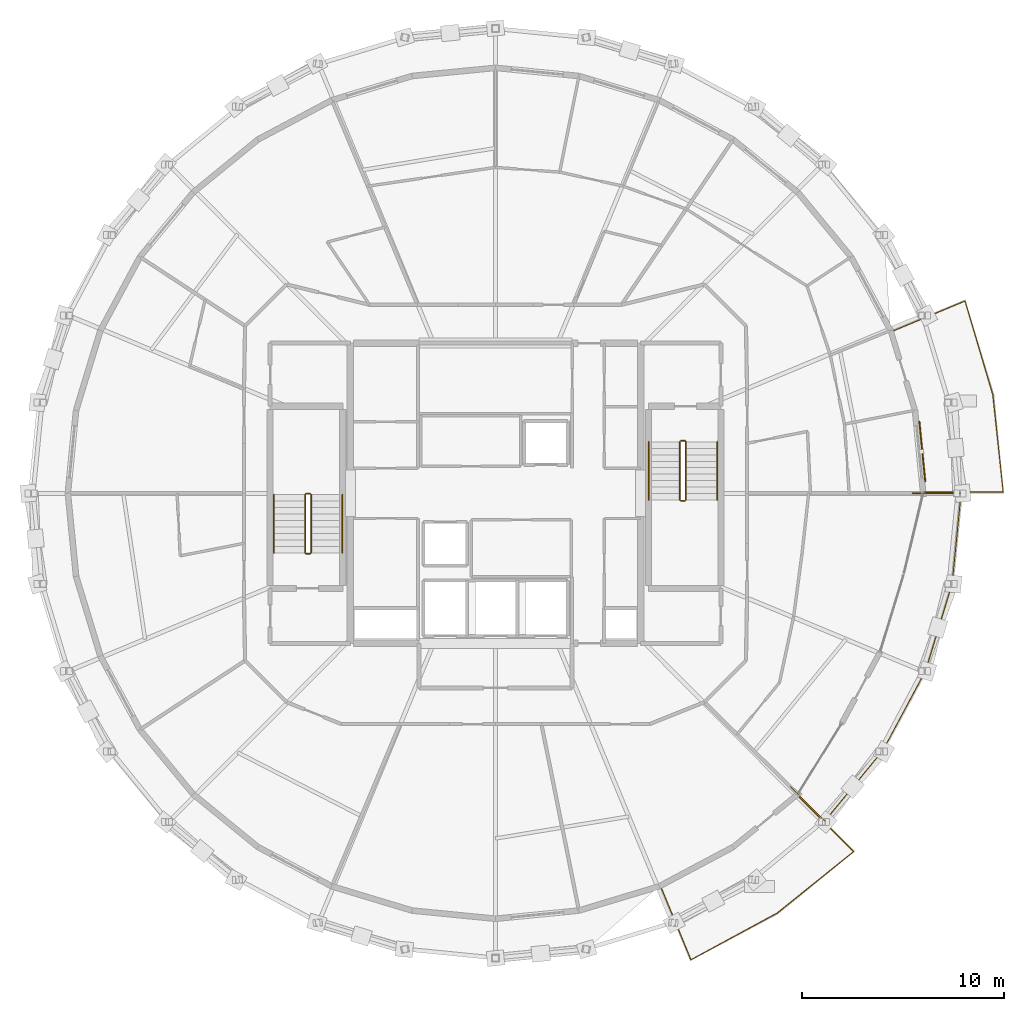
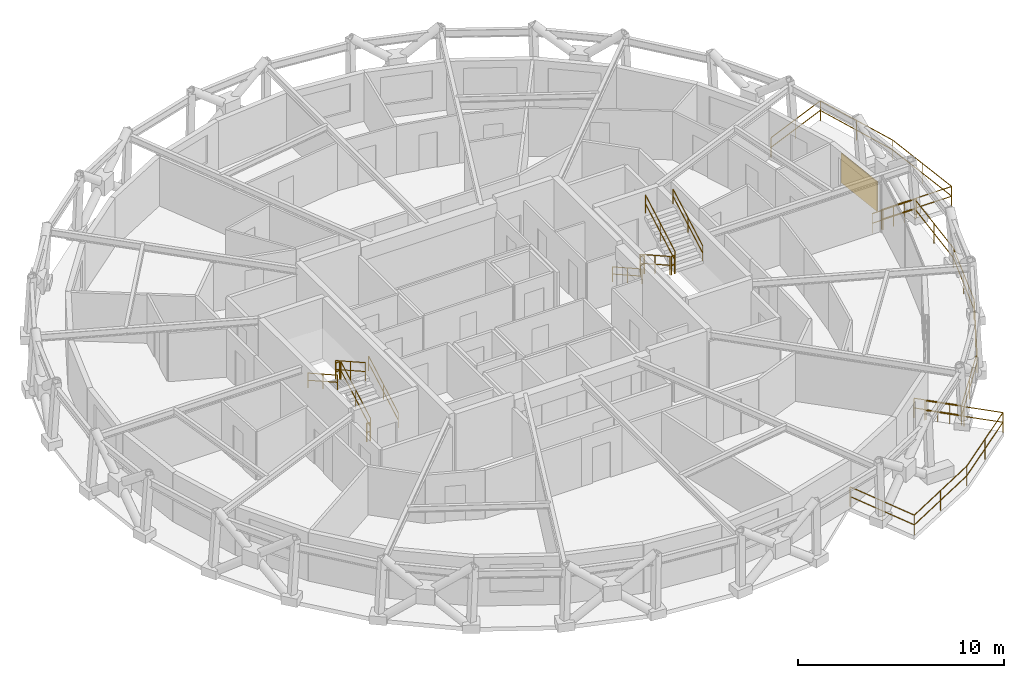
# One storey, part 12 of 12: 17 railings, 1 shading device.
"""IFC4 building model written with IfcOpenShell, lengths in metres."""

from ifc_helpers import new_model, si_unit, direction, frame, origin, origin_2d, place, context, subcontext, project, spatial, rectangle, circle, extrude, material, layer, layer_set, type_object, element, save


model = new_model("IFC4")

# Units and contexts
model_context = context("Model", 3, precision=1e-05, world=origin(), true_north=direction((0.0, 1.0)))
body_context = subcontext(model_context, "Body", "Model", "MODEL_VIEW")
ifc_project = project(units=[si_unit("LENGTHUNIT", "METRE"), si_unit("AREAUNIT", "SQUARE_METRE"), si_unit("VOLUMEUNIT", "CUBIC_METRE"), si_unit("PLANEANGLEUNIT", "RADIAN"), si_unit("MASSUNIT", "GRAM", prefix="KILO")], contexts=[model_context])

# Site, building, storey
site_placement = place(None, origin())
site = spatial("IfcSite", under=ifc_project, at=site_placement, CompositionType="ELEMENT")
building_placement = place(site_placement, origin())
building = spatial("IfcBuilding", under=site, at=building_placement, Name="Veldorina Hangang Commons", CompositionType="ELEMENT")
storey_placement = place(building_placement, frame((0.0, 0.0, 247.199951171875)))
storey = spatial("IfcBuildingStorey", under=building, at=storey_placement, Name="L64", CompositionType="ELEMENT", Elevation=247.199951171875)

# Railings
ifc_material_1 = material(Name="Glass Laminated Safety Balustrade", Category="glass")
railing_type_1 = type_object("IfcRailingType", Name="RL-BAL-LOGGIA", PredefinedType="BALUSTRADE", material=ifc_material_1)
railing_1_placement = place(storey_placement, frame((46.63720703125, 9.44091796875, 0.0)))
element("IfcRailing", 1, at=railing_1_placement, inside=storey, type_object=railing_type_1, Name="L64 sky-garden loggia end balustrade A", PredefinedType="BALUSTRADE", context=body_context, shape_type="SweptSolid", body=[
    extrude(circle(Radius=0.02392578125, at=origin_2d()), frame((0.0, 0.0, 1.17578125), z_axis=(0.707005046524, -0.707208501214, 0.0), x_axis=(0.707208501214, 0.707005046524, 0.0)), (0.0, 0.0, 1.0), 2.39990234375),
    extrude(circle(Radius=0.02392578125, at=origin_2d()), frame((0.0, 0.0, 0.60009765625), z_axis=(0.707005046524, -0.707208501214, 0.0), x_axis=(0.707208501214, 0.707005046524, 0.0)), (0.0, 0.0, 1.0), 2.39990234375),
    extrude(circle(Radius=0.02099609375, at=origin_2d()), origin(), (0.0, 0.0, 1.0), 1.15185546875),
    extrude(circle(Radius=0.02099609375, at=origin_2d()), frame((0.42431640625, -0.42431640625, 0.0)), (0.0, 0.0, 1.0), 1.15185546875),
    extrude(circle(Radius=0.02099609375, at=origin_2d()), frame((0.848388671875, -0.8486328125, 0.0)), (0.0, 0.0, 1.0), 1.15185546875),
    extrude(circle(Radius=0.02099609375, at=origin_2d()), frame((1.2724609375, -1.27294921875, 0.0)), (0.0, 0.0, 1.0), 1.15185546875),
    extrude(circle(Radius=0.02099609375, at=origin_2d()), frame((1.69677734375, -1.697265625, 0.0)), (0.0, 0.0, 1.0), 1.15185546875),
])
railing_2_placement = place(storey_placement, frame((52.69970703125, 24.0, 0.0)))
element("IfcRailing", 2, at=railing_2_placement, inside=storey, type_object=railing_type_1, Name="L64 sky-garden loggia end balustrade B", PredefinedType="BALUSTRADE", context=body_context, shape_type="SweptSolid", body=[
    extrude(circle(Radius=0.02392578125, at=origin_2d()), frame((0.0, 0.0, 1.17578125), z_axis=(1.0, 0.0, 0.0), x_axis=(0.0, 1.0, 0.0)), (0.0, 0.0, 1.0), 2.400146484375),
    extrude(circle(Radius=0.02392578125, at=origin_2d()), frame((0.0, 0.0, 0.60009765625), z_axis=(1.0, 0.0, 0.0), x_axis=(0.0, 1.0, 0.0)), (0.0, 0.0, 1.0), 2.400146484375),
    extrude(circle(Radius=0.02099609375, at=origin_2d()), origin(), (0.0, 0.0, 1.0), 1.15185546875),
    extrude(circle(Radius=0.02099609375, at=origin_2d()), frame((0.60009765625, 0.0, 0.0)), (0.0, 0.0, 1.0), 1.15185546875),
    extrude(circle(Radius=0.02099609375, at=origin_2d()), frame((1.2001953125, 0.0, 0.0)), (0.0, 0.0, 1.0), 1.15185546875),
    extrude(circle(Radius=0.02099609375, at=origin_2d()), frame((1.800048828125, 0.0, 0.0)), (0.0, 0.0, 1.0), 1.15185546875),
    extrude(circle(Radius=0.02099609375, at=origin_2d()), frame((2.400146484375, 0.0, 0.0)), (0.0, 0.0, 1.0), 1.15185546875),
])
railing_3_placement = place(storey_placement, frame((48.333984375, 7.74365234375, 0.0)))
element("IfcRailing", 3, at=railing_3_placement, inside=storey, type_object=railing_type_1, Name="L64 sky-garden loggia outer balustrade", PredefinedType="BALUSTRADE", context=body_context, shape_type="SweptSolid", body=[
    extrude(circle(Radius=0.02392578125, at=origin_2d()), frame((0.0, 0.0, 1.17578125), z_axis=(0.636197957023, 0.771525864427, 0.0), x_axis=(-0.771525864427, 0.636197957023, 0.0)), (0.0, 0.0, 1.0), 4.515625),
    extrude(circle(Radius=0.02392578125, at=origin_2d()), frame((0.0, 0.0, 0.60009765625), z_axis=(0.636197957023, 0.771525864427, 0.0), x_axis=(-0.771525864427, 0.636197957023, 0.0)), (0.0, 0.0, 1.0), 4.515625),
    extrude(circle(Radius=0.02392578125, at=origin_2d()), frame((2.872802734375, 3.48388671875, 1.17578125), z_axis=(0.473128193567, 0.880993593877, 0.0), x_axis=(-0.880993593877, 0.473128193567, 0.0)), (0.0, 0.0, 1.0), 4.511474609375),
    extrude(circle(Radius=0.02392578125, at=origin_2d()), frame((2.872802734375, 3.48388671875, 0.60009765625), z_axis=(0.473128193567, 0.880993593877, 0.0), x_axis=(-0.880993593877, 0.473128193567, 0.0)), (0.0, 0.0, 1.0), 4.511474609375),
    extrude(circle(Radius=0.02392578125, at=origin_2d()), frame((5.00732421875, 7.45849609375, 1.17578125), z_axis=(0.291592530085, 0.956542626546, 0.0), x_axis=(-0.956542626546, 0.291592530085, 0.0)), (0.0, 0.0, 1.0), 4.5087890625),
    extrude(circle(Radius=0.02392578125, at=origin_2d()), frame((5.00732421875, 7.45849609375, 0.60009765625), z_axis=(0.291592530085, 0.956542626546, 0.0), x_axis=(-0.956542626546, 0.291592530085, 0.0)), (0.0, 0.0, 1.0), 4.5087890625),
    extrude(circle(Radius=0.02392578125, at=origin_2d()), frame((6.322021484375, 11.771240234375, 1.17578125), z_axis=(0.098479281818, 0.995139101359, 0.0), x_axis=(-0.995139101359, 0.098479281818, 0.0)), (0.0, 0.0, 1.0), 4.507080078125),
    extrude(circle(Radius=0.02392578125, at=origin_2d()), frame((6.322021484375, 11.771240234375, 0.60009765625), z_axis=(0.098479281818, 0.995139101359, 0.0), x_axis=(-0.995139101359, 0.098479281818, 0.0)), (0.0, 0.0, 1.0), 4.507080078125),
    extrude(circle(Radius=0.02099609375, at=origin_2d()), origin(), (0.0, 0.0, 1.0), 1.15185546875),
    extrude(circle(Radius=0.02099609375, at=origin_2d()), frame((1.4365234375, 1.741943359375, 0.0)), (0.0, 0.0, 1.0), 1.15185546875),
    extrude(circle(Radius=0.02099609375, at=origin_2d()), frame((2.872802734375, 3.48388671875, 0.0)), (0.0, 0.0, 1.0), 1.15185546875),
    extrude(circle(Radius=0.02099609375, at=origin_2d()), frame((3.93994140625, 5.47119140625, 0.0)), (0.0, 0.0, 1.0), 1.15185546875),
    extrude(circle(Radius=0.02099609375, at=origin_2d()), frame((5.00732421875, 7.45849609375, 0.0)), (0.0, 0.0, 1.0), 1.15185546875),
    extrude(circle(Radius=0.02099609375, at=origin_2d()), frame((5.66455078125, 9.61474609375, 0.0)), (0.0, 0.0, 1.0), 1.15185546875),
    extrude(circle(Radius=0.02099609375, at=origin_2d()), frame((6.322021484375, 11.771240234375, 0.0)), (0.0, 0.0, 1.0), 1.15185546875),
    extrude(circle(Radius=0.02099609375, at=origin_2d()), frame((6.5439453125, 14.013671875, 0.0)), (0.0, 0.0, 1.0), 1.15185546875),
    extrude(circle(Radius=0.02099609375, at=origin_2d()), frame((6.765869140625, 16.25634765625, 0.0)), (0.0, 0.0, 1.0), 1.15185546875),
])
railing_4_placement = place(storey_placement, frame((40.197509765625, 4.48681640625, 0.0)))
element("IfcRailing", 4, at=railing_4_placement, inside=storey, type_object=railing_type_1, Name="L64 planted tree balcony 1 balustrade", PredefinedType="BALUSTRADE", context=body_context, shape_type="SweptSolid", body=[
    extrude(circle(Radius=0.02392578125, at=origin_2d()), frame((0.0, 0.0, 1.17578125), z_axis=(0.380924566325, -0.924606118718, 0.0), x_axis=(0.924606118718, 0.380924566325, 0.0)), (0.0, 0.0, 1.0), 3.9345703125),
    extrude(circle(Radius=0.02392578125, at=origin_2d()), frame((0.0, 0.0, 0.60009765625), z_axis=(0.380924566325, -0.924606118718, 0.0), x_axis=(0.924606118718, 0.380924566325, 0.0)), (0.0, 0.0, 1.0), 3.9345703125),
    extrude(circle(Radius=0.02392578125, at=origin_2d()), frame((1.498779296875, -3.637939453125, 1.17578125), z_axis=(0.878971684697, 0.476873963958, 0.0), x_axis=(-0.476873963958, 0.878971684697, 0.0)), (0.0, 0.0, 1.0), 4.871337890625),
    extrude(circle(Radius=0.02392578125, at=origin_2d()), frame((1.498779296875, -3.637939453125, 0.60009765625), z_axis=(0.878971684697, 0.476873963958, 0.0), x_axis=(-0.476873963958, 0.878971684697, 0.0)), (0.0, 0.0, 1.0), 4.871337890625),
    extrude(circle(Radius=0.02392578125, at=origin_2d()), frame((5.780517578125, -1.31494140625, 1.17578125), z_axis=(0.779442897475, 0.62647327922, 0.0), x_axis=(-0.62647327922, 0.779442897475, 0.0)), (0.0, 0.0, 1.0), 4.867919921875),
    extrude(circle(Radius=0.02392578125, at=origin_2d()), frame((5.780517578125, -1.31494140625, 0.60009765625), z_axis=(0.779442897475, 0.62647327922, 0.0), x_axis=(-0.62647327922, 0.779442897475, 0.0)), (0.0, 0.0, 1.0), 4.867919921875),
    extrude(circle(Radius=0.02392578125, at=origin_2d()), frame((9.57470703125, 1.734619140625, 1.17578125), z_axis=(-0.708532457829, 0.705678224266, 0.0), x_axis=(-0.705678224266, -0.708532457829, 0.0)), (0.0, 0.0, 1.0), 3.9345703125),
    extrude(circle(Radius=0.02392578125, at=origin_2d()), frame((9.57470703125, 1.734619140625, 0.60009765625), z_axis=(-0.708532457829, 0.705678224266, 0.0), x_axis=(-0.705678224266, -0.708532457829, 0.0)), (0.0, 0.0, 1.0), 3.9345703125),
    extrude(circle(Radius=0.02099609375, at=origin_2d()), origin(), (0.0, 0.0, 1.0), 1.15185546875),
    extrude(circle(Radius=0.02099609375, at=origin_2d()), frame((0.74951171875, -1.81884765625, 0.0)), (0.0, 0.0, 1.0), 1.15185546875),
    extrude(circle(Radius=0.02099609375, at=origin_2d()), frame((1.498779296875, -3.637939453125, 0.0)), (0.0, 0.0, 1.0), 1.15185546875),
    extrude(circle(Radius=0.02099609375, at=origin_2d()), frame((3.6396484375, -2.4765625, 0.0)), (0.0, 0.0, 1.0), 1.15185546875),
    extrude(circle(Radius=0.02099609375, at=origin_2d()), frame((5.780517578125, -1.31494140625, 0.0)), (0.0, 0.0, 1.0), 1.15185546875),
    extrude(circle(Radius=0.02099609375, at=origin_2d()), frame((7.677734375, 0.2099609375, 0.0)), (0.0, 0.0, 1.0), 1.15185546875),
    extrude(circle(Radius=0.02099609375, at=origin_2d()), frame((9.57470703125, 1.734619140625, 0.0)), (0.0, 0.0, 1.0), 1.15185546875),
    extrude(circle(Radius=0.02099609375, at=origin_2d()), frame((8.1806640625, 3.123046875, 0.0)), (0.0, 0.0, 1.0), 1.15185546875),
    extrude(circle(Radius=0.02099609375, at=origin_2d()), frame((6.786865234375, 4.51123046875, 0.0)), (0.0, 0.0, 1.0), 1.15185546875),
])
railing_5_placement = place(storey_placement, frame((53.2587890625, 24.0673828125, 0.0)))
element("IfcRailing", 5, at=railing_5_placement, inside=storey, type_object=railing_type_1, Name="L64 planted tree balcony 2 balustrade", PredefinedType="BALUSTRADE", context=body_context, shape_type="SweptSolid", body=[
    extrude(circle(Radius=0.02392578125, at=origin_2d()), frame((0.0, 0.0, 1.17578125), z_axis=(0.999998149745, -0.001923670037, 0.0), x_axis=(0.001923670037, 0.999998149745, 0.0)), (0.0, 0.0, 1.0), 3.934326171875),
    extrude(circle(Radius=0.02392578125, at=origin_2d()), frame((0.0, 0.0, 0.60009765625), z_axis=(0.999998149745, -0.001923670037, 0.0), x_axis=(0.001923670037, 0.999998149745, 0.0)), (0.0, 0.0, 1.0), 3.934326171875),
    extrude(circle(Radius=0.02392578125, at=origin_2d()), frame((3.934326171875, -0.007568359375, 1.17578125), z_axis=(-0.106462097095, 0.99431676134, 0.0), x_axis=(-0.99431676134, -0.106462097095, 0.0)), (0.0, 0.0, 1.0), 4.854736328125),
    extrude(circle(Radius=0.02392578125, at=origin_2d()), frame((3.934326171875, -0.007568359375, 0.60009765625), z_axis=(-0.106462097095, 0.99431676134, 0.0), x_axis=(-0.99431676134, -0.106462097095, 0.0)), (0.0, 0.0, 1.0), 4.854736328125),
    extrude(circle(Radius=0.02392578125, at=origin_2d()), frame((3.41748046875, 4.819580078125, 1.17578125), z_axis=(-0.283739127951, 0.958901510725, 0.0), x_axis=(-0.958901510725, -0.283739127951, 0.0)), (0.0, 0.0, 1.0), 4.8564453125),
    extrude(circle(Radius=0.02392578125, at=origin_2d()), frame((3.41748046875, 4.819580078125, 0.60009765625), z_axis=(-0.283739127951, 0.958901510725, 0.0), x_axis=(-0.958901510725, -0.283739127951, 0.0)), (0.0, 0.0, 1.0), 4.8564453125),
    extrude(circle(Radius=0.02392578125, at=origin_2d()), frame((2.03955078125, 9.476318359375, 1.17578125), z_axis=(-0.923128321237, -0.384492005807, 0.0), x_axis=(0.384492005807, -0.923128321237, 0.0)), (0.0, 0.0, 1.0), 3.934326171875),
    extrude(circle(Radius=0.02392578125, at=origin_2d()), frame((2.03955078125, 9.476318359375, 0.60009765625), z_axis=(-0.923128321237, -0.384492005807, 0.0), x_axis=(0.384492005807, -0.923128321237, 0.0)), (0.0, 0.0, 1.0), 3.934326171875),
    extrude(circle(Radius=0.02099609375, at=origin_2d()), origin(), (0.0, 0.0, 1.0), 1.15185546875),
    extrude(circle(Radius=0.02099609375, at=origin_2d()), frame((1.96728515625, -0.00390625, 0.0)), (0.0, 0.0, 1.0), 1.15185546875),
    extrude(circle(Radius=0.02099609375, at=origin_2d()), frame((3.934326171875, -0.007568359375, 0.0)), (0.0, 0.0, 1.0), 1.15185546875),
    extrude(circle(Radius=0.02099609375, at=origin_2d()), frame((3.67578125, 2.406005859375, 0.0)), (0.0, 0.0, 1.0), 1.15185546875),
    extrude(circle(Radius=0.02099609375, at=origin_2d()), frame((3.41748046875, 4.819580078125, 0.0)), (0.0, 0.0, 1.0), 1.15185546875),
    extrude(circle(Radius=0.02099609375, at=origin_2d()), frame((2.728515625, 7.14794921875, 0.0)), (0.0, 0.0, 1.0), 1.15185546875),
    extrude(circle(Radius=0.02099609375, at=origin_2d()), frame((2.03955078125, 9.476318359375, 0.0)), (0.0, 0.0, 1.0), 1.15185546875),
    extrude(circle(Radius=0.02099609375, at=origin_2d()), frame((0.2236328125, 8.719970703125, 0.0)), (0.0, 0.0, 1.0), 1.15185546875),
    extrude(circle(Radius=0.02099609375, at=origin_2d()), frame((-1.59228515625, 7.963623046875, 0.0)), (0.0, 0.0, 1.0), 1.15185546875),
])
ifc_material_2 = material(Name="Steel Painted Balustrade", Category="steel")
railing_type_2 = type_object("IfcRailingType", Name="RL-GRD-STAIR", PredefinedType="GUARDRAIL", material=ifc_material_2)
railing_6_placement = place(storey_placement, frame((22.85009765625, 21.050048828125, 0.179931640625)))
element("IfcRailing", 6, at=railing_6_placement, inside=storey, type_object=railing_type_2, Name="L64 ST-1 stair guard 1", PredefinedType="GUARDRAIL", context=body_context, shape_type="SweptSolid", body=[
    extrude(circle(Radius=0.02392578125, at=origin_2d()), frame((0.0, 0.0, 1.076171875), z_axis=(0.0, 0.87155185771, 0.490303333991), x_axis=(-1.0, 0.0, 0.0)), (0.0, 0.0, 1.0), 3.30419921875),
    extrude(circle(Radius=0.02392578125, at=origin_2d()), frame((0.0, 0.0, 0.550048828125), z_axis=(0.0, 0.87155185771, 0.490303333991), x_axis=(-1.0, 0.0, 0.0)), (0.0, 0.0, 1.0), 3.30419921875),
    extrude(circle(Radius=0.02099609375, at=origin_2d()), origin(), (0.0, 0.0, 1.0), 1.052001953125),
    extrude(circle(Radius=0.02099609375, at=origin_2d()), frame((0.0, 1.43994140625, 0.81005859375)), (0.0, 0.0, 1.0), 1.052001953125),
    extrude(circle(Radius=0.02099609375, at=origin_2d()), frame((0.0, 2.8798828125, 1.6201171875)), (0.0, 0.0, 1.0), 1.052001953125),
])
railing_7_placement = place(storey_placement, frame((22.800048828125, 23.97998046875, 1.800048828125)))
element("IfcRailing", 7, at=railing_7_placement, inside=storey, type_object=railing_type_2, Name="L64 ST-1 stair guard 2", PredefinedType="GUARDRAIL", context=body_context, shape_type="SweptSolid", body=[
    extrude(circle(Radius=0.02392578125, at=origin_2d()), frame((0.0, 0.0, 1.076171875), z_axis=(-1.0, 0.0, 0.0), x_axis=(0.0, -1.0, 0.0)), (0.0, 0.0, 1.0), 0.199951171875),
    extrude(circle(Radius=0.02392578125, at=origin_2d()), frame((0.0, 0.0, 0.550048828125), z_axis=(-1.0, 0.0, 0.0), x_axis=(0.0, -1.0, 0.0)), (0.0, 0.0, 1.0), 0.199951171875),
    extrude(circle(Radius=0.02099609375, at=origin_2d()), origin(), (0.0, 0.0, 1.0), 1.052001953125),
    extrude(circle(Radius=0.02099609375, at=origin_2d()), frame((-0.199951171875, 0.0, 0.0)), (0.0, 0.0, 1.0), 1.052001953125),
])
railing_8_placement = place(storey_placement, frame((22.550048828125, 23.929931640625, 1.97998046875)))
element("IfcRailing", 8, at=railing_8_placement, inside=storey, type_object=railing_type_2, Name="L64 ST-1 stair guard 3", PredefinedType="GUARDRAIL", context=body_context, shape_type="SweptSolid", body=[
    extrude(circle(Radius=0.02392578125, at=origin_2d()), frame((0.0, 0.0, 1.076171875), z_axis=(0.0, -0.87155185771, 0.490303333991), x_axis=(1.0, 0.0, 0.0)), (0.0, 0.0, 1.0), 3.30419921875),
    extrude(circle(Radius=0.02392578125, at=origin_2d()), frame((0.0, 0.0, 0.550048828125), z_axis=(0.0, -0.87155185771, 0.490303333991), x_axis=(1.0, 0.0, 0.0)), (0.0, 0.0, 1.0), 3.30419921875),
    extrude(circle(Radius=0.02099609375, at=origin_2d()), origin(), (0.0, 0.0, 1.0), 1.052001953125),
    extrude(circle(Radius=0.02099609375, at=origin_2d()), frame((0.0, -1.43994140625, 0.81005859375)), (0.0, 0.0, 1.0), 1.052001953125),
    extrude(circle(Radius=0.02099609375, at=origin_2d()), frame((0.0, -2.8798828125, 1.6201171875)), (0.0, 0.0, 1.0), 1.052001953125),
])
railing_9_placement = place(storey_placement, frame((22.800048828125, 21.0, 0.0)))
element("IfcRailing", 9, at=railing_9_placement, inside=storey, type_object=railing_type_2, Name="L64 ST-1 stair guard 4", PredefinedType="GUARDRAIL", context=body_context, shape_type="SweptSolid", body=[
    extrude(circle(Radius=0.02392578125, at=origin_2d()), frame((0.0, 0.0, 1.076171875), z_axis=(-1.0, 0.0, 0.0), x_axis=(0.0, -1.0, 0.0)), (0.0, 0.0, 1.0), 0.199951171875),
    extrude(circle(Radius=0.02392578125, at=origin_2d()), frame((0.0, 0.0, 0.550048828125), z_axis=(-1.0, 0.0, 0.0), x_axis=(0.0, -1.0, 0.0)), (0.0, 0.0, 1.0), 0.199951171875),
    extrude(circle(Radius=0.02099609375, at=origin_2d()), origin(), (0.0, 0.0, 1.0), 1.052001953125),
    extrude(circle(Radius=0.02099609375, at=origin_2d()), frame((-0.199951171875, 0.0, 0.0)), (0.0, 0.0, 1.0), 1.052001953125),
])
railing_10_placement = place(storey_placement, frame((41.14990234375, 26.550048828125, 0.179931640625)))
element("IfcRailing", 10, at=railing_10_placement, inside=storey, type_object=railing_type_2, Name="L64 ST-2 stair guard 1", PredefinedType="GUARDRAIL", context=body_context, shape_type="SweptSolid", body=[
    extrude(circle(Radius=0.02392578125, at=origin_2d()), frame((0.0, 0.0, 1.076171875), z_axis=(0.0, -0.871569617843, 0.490271762652), x_axis=(1.0, 0.0, 0.0)), (0.0, 0.0, 1.0), 3.304443359375),
    extrude(circle(Radius=0.02392578125, at=origin_2d()), frame((0.0, 0.0, 0.550048828125), z_axis=(0.0, -0.871569617843, 0.490271762652), x_axis=(1.0, 0.0, 0.0)), (0.0, 0.0, 1.0), 3.304443359375),
    extrude(circle(Radius=0.02099609375, at=origin_2d()), origin(), (0.0, 0.0, 1.0), 1.052001953125),
    extrude(circle(Radius=0.02099609375, at=origin_2d()), frame((0.0, -1.43994140625, 0.81005859375)), (0.0, 0.0, 1.0), 1.052001953125),
    extrude(circle(Radius=0.02099609375, at=origin_2d()), frame((0.0, -2.880126953125, 1.6201171875)), (0.0, 0.0, 1.0), 1.052001953125),
])
railing_11_placement = place(storey_placement, frame((41.199951171875, 23.6201171875, 1.800048828125)))
element("IfcRailing", 11, at=railing_11_placement, inside=storey, type_object=railing_type_2, Name="L64 ST-2 stair guard 2", PredefinedType="GUARDRAIL", context=body_context, shape_type="SweptSolid", body=[
    extrude(circle(Radius=0.02392578125, at=origin_2d()), frame((0.0, 0.0, 1.076171875), z_axis=(1.0, 0.0, 0.0), x_axis=(0.0, 1.0, 0.0)), (0.0, 0.0, 1.0), 0.199951171875),
    extrude(circle(Radius=0.02392578125, at=origin_2d()), frame((0.0, 0.0, 0.550048828125), z_axis=(1.0, 0.0, 0.0), x_axis=(0.0, 1.0, 0.0)), (0.0, 0.0, 1.0), 0.199951171875),
    extrude(circle(Radius=0.02099609375, at=origin_2d()), origin(), (0.0, 0.0, 1.0), 1.052001953125),
    extrude(circle(Radius=0.02099609375, at=origin_2d()), frame((0.199951171875, 0.0, 0.0)), (0.0, 0.0, 1.0), 1.052001953125),
])
railing_12_placement = place(storey_placement, frame((41.449951171875, 23.669921875, 1.97998046875)))
element("IfcRailing", 12, at=railing_12_placement, inside=storey, type_object=railing_type_2, Name="L64 ST-2 stair guard 3", PredefinedType="GUARDRAIL", context=body_context, shape_type="SweptSolid", body=[
    extrude(circle(Radius=0.02392578125, at=origin_2d()), frame((0.0, 0.0, 1.076171875), z_axis=(0.0, 0.871569617843, 0.490271762652), x_axis=(-1.0, 0.0, 0.0)), (0.0, 0.0, 1.0), 3.304443359375),
    extrude(circle(Radius=0.02392578125, at=origin_2d()), frame((0.0, 0.0, 0.550048828125), z_axis=(0.0, 0.871569617843, 0.490271762652), x_axis=(-1.0, 0.0, 0.0)), (0.0, 0.0, 1.0), 3.304443359375),
    extrude(circle(Radius=0.02099609375, at=origin_2d()), origin(), (0.0, 0.0, 1.0), 1.052001953125),
    extrude(circle(Radius=0.02099609375, at=origin_2d()), frame((0.0, 1.43994140625, 0.81005859375)), (0.0, 0.0, 1.0), 1.052001953125),
    extrude(circle(Radius=0.02099609375, at=origin_2d()), frame((0.0, 2.880126953125, 1.6201171875)), (0.0, 0.0, 1.0), 1.052001953125),
])
railing_13_placement = place(storey_placement, frame((41.199951171875, 26.60009765625, 0.0)))
element("IfcRailing", 13, at=railing_13_placement, inside=storey, type_object=railing_type_2, Name="L64 ST-2 stair guard 4", PredefinedType="GUARDRAIL", context=body_context, shape_type="SweptSolid", body=[
    extrude(circle(Radius=0.02392578125, at=origin_2d()), frame((0.0, 0.0, 1.076171875), z_axis=(1.0, 0.0, 0.0), x_axis=(0.0, 1.0, 0.0)), (0.0, 0.0, 1.0), 0.199951171875),
    extrude(circle(Radius=0.02392578125, at=origin_2d()), frame((0.0, 0.0, 0.550048828125), z_axis=(1.0, 0.0, 0.0), x_axis=(0.0, 1.0, 0.0)), (0.0, 0.0, 1.0), 0.199951171875),
    extrude(circle(Radius=0.02099609375, at=origin_2d()), origin(), (0.0, 0.0, 1.0), 1.052001953125),
    extrude(circle(Radius=0.02099609375, at=origin_2d()), frame((0.199951171875, 0.0, 0.0)), (0.0, 0.0, 1.0), 1.052001953125),
])
ifc_material_3 = material(Name="Stainless Steel Brushed 316", Category="steel")
railing_type_3 = type_object("IfcRailingType", Name="RL-HND-STAIR", PredefinedType="HANDRAIL", material=ifc_material_3)
railing_14_placement = place(storey_placement, frame((24.39990234375, 21.050048828125, 0.179931640625)))
element("IfcRailing", 14, at=railing_14_placement, inside=storey, type_object=railing_type_3, Name="L64 ST-1 stair handrail 1", PredefinedType="HANDRAIL", context=body_context, shape_type="SweptSolid", body=[
    extrude(circle(Radius=0.02392578125, at=origin_2d()), frame((0.0, 0.0, 0.8759765625), z_axis=(0.0, 0.87155185771, 0.490303333991), x_axis=(-1.0, 0.0, 0.0)), (0.0, 0.0, 1.0), 3.30419921875),
    extrude(circle(Radius=0.02392578125, at=origin_2d()), frame((0.0, 0.0, 0.449951171875), z_axis=(0.0, 0.87155185771, 0.490303333991), x_axis=(-1.0, 0.0, 0.0)), (0.0, 0.0, 1.0), 3.30419921875),
    extrude(circle(Radius=0.02099609375, at=origin_2d()), origin(), (0.0, 0.0, 1.0), 0.851806640625),
    extrude(circle(Radius=0.02099609375, at=origin_2d()), frame((0.0, 1.43994140625, 0.81005859375)), (0.0, 0.0, 1.0), 0.851806640625),
    extrude(circle(Radius=0.02099609375, at=origin_2d()), frame((0.0, 2.8798828125, 1.6201171875)), (0.0, 0.0, 1.0), 0.851806640625),
])
railing_15_placement = place(storey_placement, frame((21.0, 23.929931640625, 1.97998046875)))
element("IfcRailing", 15, at=railing_15_placement, inside=storey, type_object=railing_type_3, Name="L64 ST-1 stair handrail 2", PredefinedType="HANDRAIL", context=body_context, shape_type="SweptSolid", body=[
    extrude(circle(Radius=0.02392578125, at=origin_2d()), frame((0.0, 0.0, 0.8759765625), z_axis=(0.0, -0.87155185771, 0.490303333991), x_axis=(1.0, 0.0, 0.0)), (0.0, 0.0, 1.0), 3.30419921875),
    extrude(circle(Radius=0.02392578125, at=origin_2d()), frame((0.0, 0.0, 0.449951171875), z_axis=(0.0, -0.87155185771, 0.490303333991), x_axis=(1.0, 0.0, 0.0)), (0.0, 0.0, 1.0), 3.30419921875),
    extrude(circle(Radius=0.02099609375, at=origin_2d()), origin(), (0.0, 0.0, 1.0), 0.851806640625),
    extrude(circle(Radius=0.02099609375, at=origin_2d()), frame((0.0, -1.43994140625, 0.81005859375)), (0.0, 0.0, 1.0), 0.851806640625),
    extrude(circle(Radius=0.02099609375, at=origin_2d()), frame((0.0, -2.8798828125, 1.6201171875)), (0.0, 0.0, 1.0), 0.851806640625),
])
railing_16_placement = place(storey_placement, frame((39.60009765625, 26.550048828125, 0.179931640625)))
element("IfcRailing", 16, at=railing_16_placement, inside=storey, type_object=railing_type_3, Name="L64 ST-2 stair handrail 1", PredefinedType="HANDRAIL", context=body_context, shape_type="SweptSolid", body=[
    extrude(circle(Radius=0.02392578125, at=origin_2d()), frame((0.0, 0.0, 0.8759765625), z_axis=(0.0, -0.871569617843, 0.490271762652), x_axis=(1.0, 0.0, 0.0)), (0.0, 0.0, 1.0), 3.304443359375),
    extrude(circle(Radius=0.02392578125, at=origin_2d()), frame((0.0, 0.0, 0.449951171875), z_axis=(0.0, -0.871569617843, 0.490271762652), x_axis=(1.0, 0.0, 0.0)), (0.0, 0.0, 1.0), 3.304443359375),
    extrude(circle(Radius=0.02099609375, at=origin_2d()), origin(), (0.0, 0.0, 1.0), 0.851806640625),
    extrude(circle(Radius=0.02099609375, at=origin_2d()), frame((0.0, -1.43994140625, 0.81005859375)), (0.0, 0.0, 1.0), 0.851806640625),
    extrude(circle(Radius=0.02099609375, at=origin_2d()), frame((0.0, -2.880126953125, 1.6201171875)), (0.0, 0.0, 1.0), 0.851806640625),
])
railing_17_placement = place(storey_placement, frame((43.0, 23.669921875, 1.97998046875)))
element("IfcRailing", 17, at=railing_17_placement, inside=storey, type_object=railing_type_3, Name="L64 ST-2 stair handrail 2", PredefinedType="HANDRAIL", context=body_context, shape_type="SweptSolid", body=[
    extrude(circle(Radius=0.02392578125, at=origin_2d()), frame((0.0, 0.0, 0.8759765625), z_axis=(0.0, 0.871569617843, 0.490271762652), x_axis=(-1.0, 0.0, 0.0)), (0.0, 0.0, 1.0), 3.304443359375),
    extrude(circle(Radius=0.02392578125, at=origin_2d()), frame((0.0, 0.0, 0.449951171875), z_axis=(0.0, 0.871569617843, 0.490271762652), x_axis=(-1.0, 0.0, 0.0)), (0.0, 0.0, 1.0), 3.304443359375),
    extrude(circle(Radius=0.02099609375, at=origin_2d()), origin(), (0.0, 0.0, 1.0), 0.851806640625),
    extrude(circle(Radius=0.02099609375, at=origin_2d()), frame((0.0, 1.43994140625, 0.81005859375)), (0.0, 0.0, 1.0), 0.851806640625),
    extrude(circle(Radius=0.02099609375, at=origin_2d()), frame((0.0, 2.880126953125, 1.6201171875)), (0.0, 0.0, 1.0), 0.851806640625),
])

# Shading device
ifc_material_4 = material(Name="Ceramic Glazed Terracotta", Category="masonry")
ifc_layer = layer(ifc_material_4, 0.06005859375)
ifc_layer_set = layer_set([ifc_layer], Name="Ceramic Glazed Terracotta")
shading_device_type = type_object("IfcShadingDeviceType", Name="SCR-CER-3000", PredefinedType="USERDEFINED", material=ifc_layer_set)
shading_device_placement = place(storey_placement, frame((53.17529296875, 26.074951171875, 0.75), z_axis=(0.0, 0.0, 1.0), x_axis=(-0.098520836007, 0.995134988267, 0.0)))
element("IfcShadingDevice", 18, at=shading_device_placement, inside=storey, type_object=shading_device_type, Name="L64 PERFORATED CERAMIC SOLAR SCREEN 00", ObjectType="SCREEN", PredefinedType="USERDEFINED", context=body_context, shape_type="SweptSolid", body=[
    extrude(rectangle(XDim=3.0, YDim=0.06005859375, at=origin_2d()), origin(), (0.0, 0.0, 1.0), 1.75),
])

save(model, "model.ifc")
